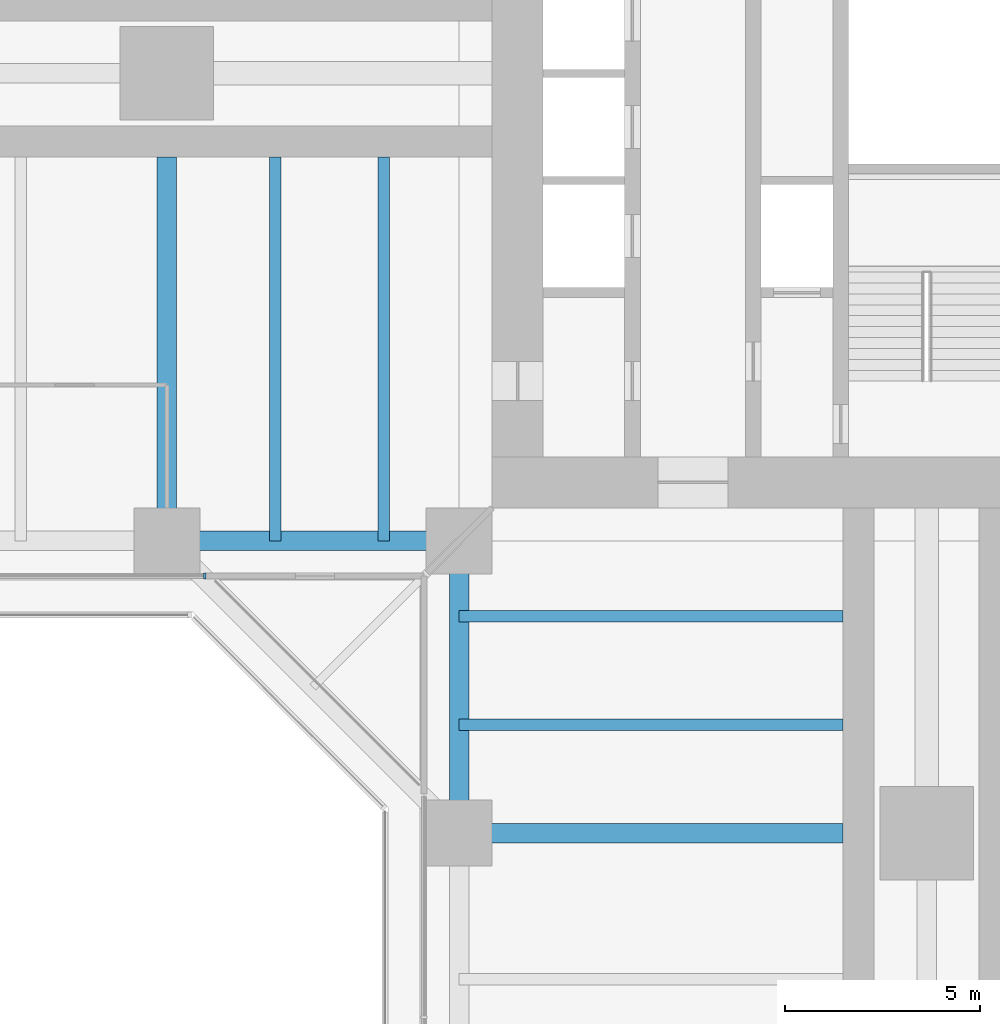
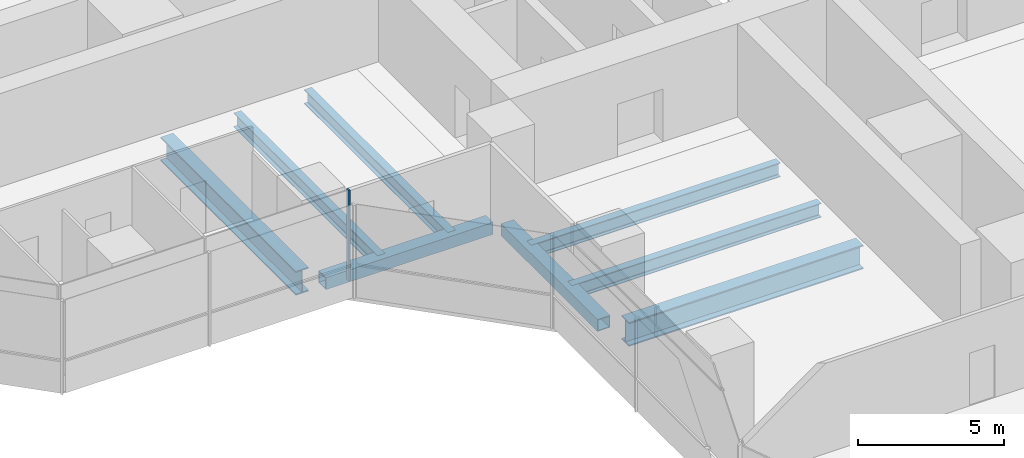
# One storey, part 4 of 22: 8 beams, 1 member, 1 element without a shape of its own.
"""IFC4 building model written with IfcOpenShell, lengths in metres."""

from ifc_helpers import new_model, si_unit, direction, frame, origin, origin_2d, place, context, subcontext, project, spatial, rectangle, hollow_rectangle, i_section, extrude, material, material_profile, profile_set, type_object, element, aggregate, save


model = new_model("IFC4")

# Units and contexts
model_context = context("Model", 3, precision=1e-05, world=origin(), true_north=direction((0.0, 1.0)))
body_context = subcontext(model_context, "Body", "Model", "MODEL_VIEW")
ifc_project = project(units=[si_unit("LENGTHUNIT", "METRE"), si_unit("AREAUNIT", "SQUARE_METRE"), si_unit("VOLUMEUNIT", "CUBIC_METRE"), si_unit("PLANEANGLEUNIT", "RADIAN"), si_unit("MASSUNIT", "GRAM", prefix="KILO")], contexts=[model_context])

# Site, building, storey
site_placement = place(None, origin())
site = spatial("IfcSite", under=ifc_project, at=site_placement, CompositionType="ELEMENT")
building_placement = place(site_placement, origin())
building = spatial("IfcBuilding", under=site, at=building_placement, Name="Mizan Broadcast Tower", CompositionType="ELEMENT")
storey_placement = place(building_placement, frame((0.0, 0.0, 66.89990234375)))
storey = spatial("IfcBuildingStorey", under=building, at=storey_placement, Name="L13", CompositionType="ELEMENT", Elevation=66.89990234375)

# Beams
ifc_material_1 = material(Name="Steel S355", Category="steel")
ifc_material_profile_1 = material_profile(ifc_material_1, hollow_rectangle(XDim=0.5, YDim=0.5, WallThickness=0.030029296875, at=origin_2d()), Name="BOX 500x500x30")
ifc_profile_set_1 = profile_set([ifc_material_profile_1], Name="Steel S355")
beam_type_1 = type_object("IfcBeamType", Name="EDGE BEAM BOX 500x500x30", PredefinedType="SPANDREL", material=ifc_profile_set_1)
for number, where, z_axis, x_axis, name in (
    (1, (-12.449951171875, -12.0, -0.3798828125), (-1.0, 0.0, 0.0), (0.0, -1.0, 0.0), "Edge beam BOX 500x500x30 L13 west arm"),
    (2, (-12.0, -12.449951171875, -0.3798828125), (0.0, -1.0, 0.0), (1.0, 0.0, 0.0), "Edge beam BOX 500x500x30 L13 south arm"),
):
    element("IfcBeam", number, at=place(storey_placement, frame(where, z_axis=z_axis, x_axis=x_axis)), inside=storey, type_object=beam_type_1, Name=name, PredefinedType="SPANDREL", context=body_context, shape_type="SweptSolid", body=[
        extrude(hollow_rectangle(XDim=0.5, YDim=0.5, WallThickness=0.030029296875, at=origin_2d()), origin(), (0.0, 0.0, 1.0), 6.60009765625),
    ])
ifc_material_2 = material(Name="Steel S460", Category="steel")
ifc_material_profile_2 = material_profile(ifc_material_2, i_section(OverallWidth=0.5, OverallDepth=1.0, WebThickness=0.02490234375, FlangeThickness=0.050048828125, at=origin_2d()), Name="WPG 1000x500")
ifc_profile_set_2 = profile_set([ifc_material_profile_2], Name="Steel S460")
beam_type_2 = type_object("IfcBeamType", Name="GIRDER WPG 1000x500", PredefinedType="BEAM", material=ifc_profile_set_2)
for number, where, z_axis, x_axis, name in (
    (3, (-19.5, -11.408935546875, -0.6298828125), (0.0, 1.0, 0.0), (-1.0, 0.0, 0.0), "Girder WPG 1000x500 L13 west arm"),
    (4, (-11.408935546875, -19.5, -0.6298828125), (1.0, 0.0, 0.0), (0.0, 1.0, 0.0), "Girder WPG 1000x500 L13 south arm"),
):
    element("IfcBeam", number, at=place(storey_placement, frame(where, z_axis=z_axis, x_axis=x_axis)), inside=storey, type_object=beam_type_2, Name=name, PredefinedType="BEAM", context=body_context, shape_type="SweptSolid", body=[
        extrude(i_section(OverallWidth=0.5, OverallDepth=1.0, WebThickness=0.02490234375, FlangeThickness=0.050048828125, at=origin_2d()), origin(), (0.0, 0.0, 1.0), 9.259033203125),
    ])

# Curtain wall, member
ifc_material_3 = material(Name="Aluminium framed glazing", Category="aluminium")
curtain_wall_type = type_object("IfcCurtainWallType", Name="INNER SKIN LOW ZONE", PredefinedType="USERDEFINED", material=ifc_material_3)
curtain_wall_placement = place(storey_placement, origin())
curtain_wall = element("IfcCurtainWall", 5, at=curtain_wall_placement, inside=storey, type_object=curtain_wall_type, Name="Inner skin low zone L13 W side", ObjectType="INNER SKIN LOW ZONE", PredefinedType="USERDEFINED")
ifc_material_4 = material(Name="Aluminium, pale anodised", Category="aluminium")
ifc_material_profile_3 = material_profile(ifc_material_4, rectangle(XDim=0.159912109375, YDim=0.06005859375, at=origin_2d()), Name="MULLION 160x60")
ifc_profile_set_3 = profile_set([ifc_material_profile_3], Name="Aluminium, pale anodised")
member_type = type_object("IfcMemberType", Name="INNER SKIN MULLION 60x160", PredefinedType="MULLION", material=ifc_profile_set_3)
member_placement = place(storey_placement, frame((-18.530029296875, -12.89990234375, 0.0), z_axis=(0.0, 0.0, 1.0), x_axis=(0.0, 1.0, 0.0)))
member = element("IfcMember", 6, at=member_placement, type_object=member_type, Name="Inner skin low zone L13 W side mullion 3", PredefinedType="MULLION", context=body_context, shape_type="SweptSolid", body=[
    extrude(rectangle(XDim=0.159912109375, YDim=0.06005859375, at=origin_2d()), origin(), (0.0, 0.0, 1.0), 3.77001953125),
])
aggregate(curtain_wall, [member])

# Beams
ifc_material_5 = material(Name="Steel S355", Category="steel")
ifc_material_profile_4 = material_profile(ifc_material_5, i_section(OverallWidth=0.300048828125, OverallDepth=0.590087890625, WebThickness=0.012939453125, FlangeThickness=0.02490234375, FilletRadius=0.027099609375, at=origin_2d()), Name="HEA 600")
ifc_profile_set_4 = profile_set([ifc_material_profile_4], Name="Steel S355")
beam_type_3 = type_object("IfcBeamType", Name="SECONDARY BEAM HEA 600", PredefinedType="JOIST", material=ifc_profile_set_4)
for number, where, z_axis, x_axis, name in (
    (7, (-13.933349609375, -12.0, -0.4248046875), (0.0, 1.0, 0.0), (-1.0, 0.0, 0.0), "Secondary beam HEA 600 L13 west arm"),
    (8, (-16.716552734375, -12.0, -0.4248046875), (0.0, 1.0, 0.0), (-1.0, 0.0, 0.0), "Secondary beam HEA 600 L13 west arm"),
    (9, (-12.0, -13.933349609375, -0.4248046875), (1.0, 0.0, 0.0), (0.0, 1.0, 0.0), "Secondary beam HEA 600 L13 south arm"),
    (10, (-12.0, -16.716552734375, -0.4248046875), (1.0, 0.0, 0.0), (0.0, 1.0, 0.0), "Secondary beam HEA 600 L13 south arm"),
):
    element("IfcBeam", number, at=place(storey_placement, frame(where, z_axis=z_axis, x_axis=x_axis)), inside=storey, type_object=beam_type_3, Name=name, PredefinedType="JOIST", context=body_context, shape_type="SweptSolid", body=[
        extrude(i_section(OverallWidth=0.300048828125, OverallDepth=0.590087890625, WebThickness=0.012939453125, FlangeThickness=0.02490234375, FilletRadius=0.027099609375, at=origin_2d()), origin(), (0.0, 0.0, 1.0), 9.85009765625),
    ])

save(model, "model.ifc")
